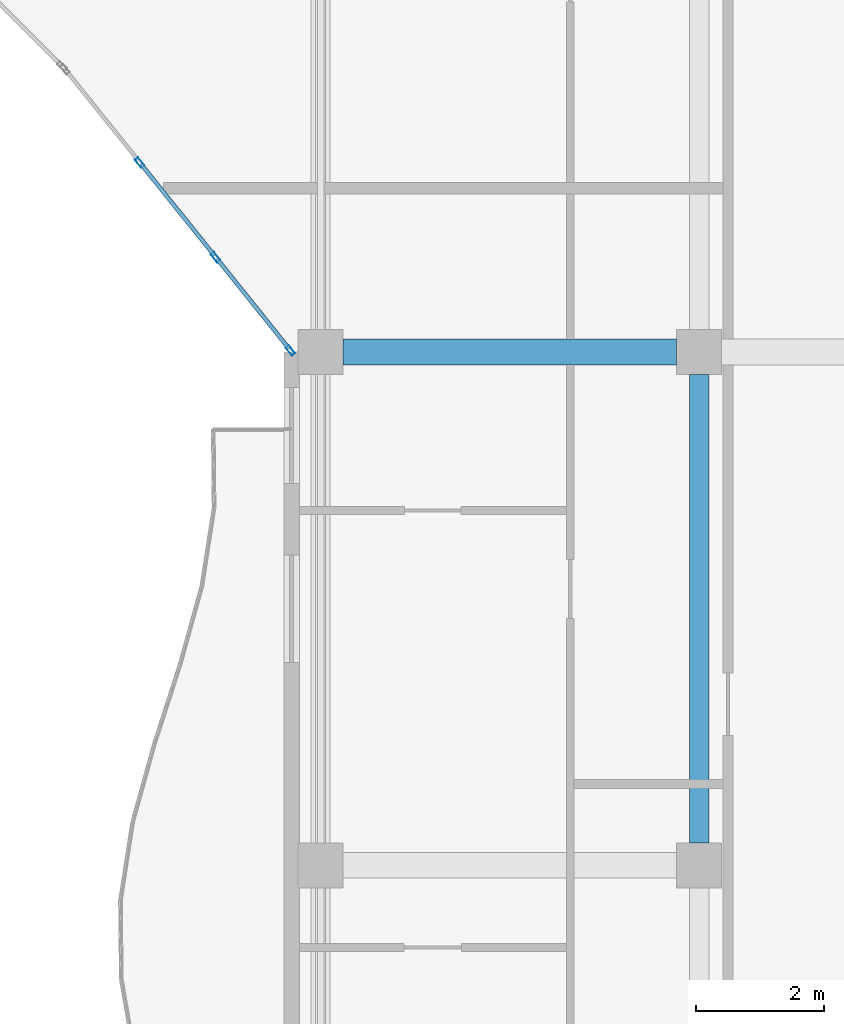
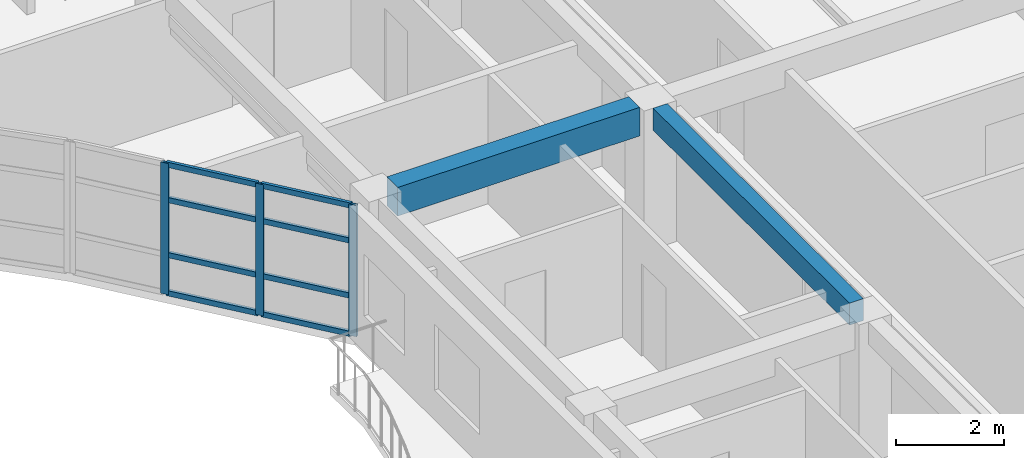
# One storey, part 34 of 89: 11 members, 2 beams, 1 element without a shape of its own.
"""IFC4 building model written with IfcOpenShell, lengths in metres."""

from ifc_helpers import new_model, si_unit, direction, frame, origin, origin_2d, place, context, subcontext, project, spatial, rectangle, hollow_rectangle, extrude, material, layer, layer_set, material_profile, profile_set, type_object, element, aggregate, save


model = new_model("IFC4")

# Units and contexts
model_context = context("Model", 3, precision=1e-05, world=origin(), true_north=direction((0.0, 1.0)))
body_context = subcontext(model_context, "Body", "Model", "MODEL_VIEW")
ifc_project = project(units=[si_unit("LENGTHUNIT", "METRE"), si_unit("AREAUNIT", "SQUARE_METRE"), si_unit("VOLUMEUNIT", "CUBIC_METRE"), si_unit("PLANEANGLEUNIT", "RADIAN"), si_unit("MASSUNIT", "GRAM", prefix="KILO")], contexts=[model_context])

# Site, building, storey
site_placement = place(None, origin())
site = spatial("IfcSite", under=ifc_project, at=site_placement, CompositionType="ELEMENT")
building_placement = place(site_placement, origin())
building = spatial("IfcBuilding", under=site, at=building_placement, Name="Keldmere Railside Commons", CompositionType="ELEMENT")
storey_placement = place(building_placement, frame((0.0, 0.0, 7.360107421875)))
storey = spatial("IfcBuildingStorey", under=building, at=storey_placement, Name="L02", CompositionType="ELEMENT", Elevation=7.360107421875)

# Beams
ifc_material_1 = material(Name="Concrete H-30 (C30/37)", Category="concrete")
ifc_material_profile_1 = material_profile(ifc_material_1, rectangle(XDim=0.39990234375, YDim=0.64990234375, at=origin_2d()), Name="RC-400x650")
ifc_profile_set_1 = profile_set([ifc_material_profile_1], Name="Concrete H-30 (C30/37)")
beam_type_1 = type_object("IfcBeamType", Name="Residential Spine RC Girder 400x650", PredefinedType="BEAM", material=ifc_profile_set_1)
beam_1_placement = place(storey_placement, frame((168.800048828125, 88.0, 2.875), z_axis=(1.0, 0.0, 0.0), x_axis=(0.0, 1.0, 0.0)))
element("IfcBeam", 1, at=beam_1_placement, inside=storey, type_object=beam_type_1, Name="BG-3 BM-L02-1098", PredefinedType="BEAM", context=body_context, shape_type="SweptSolid", body=[
    extrude(rectangle(XDim=0.39990234375, YDim=0.64990234375, at=origin_2d()), origin(), (0.0, 0.0, 1.0), 5.199951171875),
])
ifc_material_profile_2 = material_profile(ifc_material_1, rectangle(XDim=0.300048828125, YDim=0.5, at=origin_2d()), Name="RC-300x500")
ifc_profile_set_2 = profile_set([ifc_material_profile_2], Name="Concrete H-30 (C30/37)")
beam_type_2 = type_object("IfcBeamType", Name="Secondary Frame RC Beam 300x500", PredefinedType="BEAM", material=ifc_profile_set_2)
beam_2_placement = place(storey_placement, frame((174.35009765625, 80.35009765625, 2.949951171875), z_axis=(0.0, 1.0, 0.0), x_axis=(-1.0, 0.0, 0.0)))
element("IfcBeam", 2, at=beam_2_placement, inside=storey, type_object=beam_type_2, Name="BG-5 BM-L02-1257", PredefinedType="BEAM", context=body_context, shape_type="SweptSolid", body=[
    extrude(rectangle(XDim=0.300048828125, YDim=0.5, at=origin_2d()), origin(), (0.0, 0.0, 1.0), 7.2998046875),
])

# Curtain wall, members
ifc_material_2 = material(Name="Thermally Broken Aluminium", Category="aluminium")
ifc_layer = layer(ifc_material_2, 0.159912109375, Name="Court Chord Wintergarden CW 5400x2850")
ifc_layer_set = layer_set([ifc_layer], Name="Thermally Broken Aluminium")
curtain_wall_type = type_object("IfcCurtainWallType", Name="Court Chord Wintergarden CW 5400x2850", PredefinedType="NOTDEFINED", material=ifc_layer_set)
curtain_wall_placement = place(storey_placement, origin())
curtain_wall = element("IfcCurtainWall", 3, at=curtain_wall_placement, inside=storey, type_object=curtain_wall_type, Name="CW-13 CW-L02-165", PredefinedType="NOTDEFINED")
ifc_material_profile_3 = material_profile(ifc_material_2, hollow_rectangle(XDim=0.06494140625, YDim=0.159912109375, WallThickness=0.00390625, at=origin_2d()), Name="ALU-MULL-65x160")
ifc_profile_set_3 = profile_set([ifc_material_profile_3], Name="Thermally Broken Aluminium")
member_type_1 = type_object("IfcMemberType", Name="Unitised Curtain Wall Mullion 65x160", PredefinedType="MULLION", material=ifc_profile_set_3)
member_1_placement = place(storey_placement, frame((167.979736328125, 88.025390625, 0.0), z_axis=(0.0, 0.0, 1.0), x_axis=(-0.780009172323, -0.625768080915, 0.0)))
member_1 = element("IfcMember", 4, at=member_1_placement, type_object=member_type_1, Name="CW-13 mullion 1", PredefinedType="MULLION", context=body_context, shape_type="SweptSolid", body=[
    extrude(hollow_rectangle(XDim=0.06494140625, YDim=0.159912109375, WallThickness=0.00390625, at=origin_2d()), origin(), (0.0, 0.0, 1.0), 2.97998046875),
])
member_2_placement = place(storey_placement, frame((166.8154296875, 89.4765625, 0.0), z_axis=(0.0, 0.0, 1.0), x_axis=(-0.780009172323, -0.625768080915, 0.0)))
member_2 = element("IfcMember", 5, at=member_2_placement, type_object=member_type_1, Name="CW-13 mullion 2", PredefinedType="MULLION", context=body_context, shape_type="SweptSolid", body=[
    extrude(hollow_rectangle(XDim=0.06494140625, YDim=0.159912109375, WallThickness=0.00390625, at=origin_2d()), origin(), (0.0, 0.0, 1.0), 2.97998046875),
])
member_3_placement = place(storey_placement, frame((165.630615234375, 90.953369140625, 0.0), z_axis=(0.0, 0.0, 1.0), x_axis=(-0.780009172323, -0.625768080915, 0.0)))
member_3 = element("IfcMember", 6, at=member_3_placement, type_object=member_type_1, Name="CW-13 mullion 3", PredefinedType="MULLION", context=body_context, shape_type="SweptSolid", body=[
    extrude(hollow_rectangle(XDim=0.06494140625, YDim=0.159912109375, WallThickness=0.00390625, at=origin_2d()), origin(), (0.0, 0.0, 1.0), 2.97998046875),
])
ifc_material_profile_4 = material_profile(ifc_material_2, hollow_rectangle(XDim=0.06494140625, YDim=0.1201171875, WallThickness=0.00390625, at=origin_2d()), Name="ALU-TRAN-65x120")
ifc_profile_set_4 = profile_set([ifc_material_profile_4], Name="Thermally Broken Aluminium")
member_type_2 = type_object("IfcMemberType", Name="Unitised Curtain Wall Transom 65x120", PredefinedType="USERDEFINED", material=ifc_profile_set_4)
member_4_placement = place(storey_placement, frame((167.959228515625, 88.05078125, 0.032470703125), z_axis=(-0.625722553313, 0.780045694992, 0.0), x_axis=(-0.780045694992, -0.625722553313, 0.0)))
member_4 = element("IfcMember", 7, at=member_4_placement, type_object=member_type_2, Name="CW-13 transom 1.1", ObjectType="TRANSOM", PredefinedType="USERDEFINED", context=body_context, shape_type="SweptSolid", body=[
    extrude(hollow_rectangle(XDim=0.06494140625, YDim=0.1201171875, WallThickness=0.00390625, at=origin_2d()), origin(), (0.0, 0.0, 1.0), 1.795654296875),
])
member_5_placement = place(storey_placement, frame((167.959228515625, 88.05078125, 0.89990234375), z_axis=(-0.625722553313, 0.780045694992, 0.0), x_axis=(-0.780045694992, -0.625722553313, 0.0)))
member_5 = element("IfcMember", 8, at=member_5_placement, type_object=member_type_2, Name="CW-13 transom 1.2", ObjectType="TRANSOM", PredefinedType="USERDEFINED", context=body_context, shape_type="SweptSolid", body=[
    extrude(hollow_rectangle(XDim=0.06494140625, YDim=0.1201171875, WallThickness=0.00390625, at=origin_2d()), origin(), (0.0, 0.0, 1.0), 1.795654296875),
])
member_6_placement = place(storey_placement, frame((167.959228515625, 88.05078125, 2.14990234375), z_axis=(-0.625722553313, 0.780045694992, 0.0), x_axis=(-0.780045694992, -0.625722553313, 0.0)))
member_6 = element("IfcMember", 9, at=member_6_placement, type_object=member_type_2, Name="CW-13 transom 1.3", ObjectType="TRANSOM", PredefinedType="USERDEFINED", context=body_context, shape_type="SweptSolid", body=[
    extrude(hollow_rectangle(XDim=0.06494140625, YDim=0.1201171875, WallThickness=0.00390625, at=origin_2d()), origin(), (0.0, 0.0, 1.0), 1.795654296875),
])
member_7_placement = place(storey_placement, frame((167.959228515625, 88.05078125, 2.947509765625), z_axis=(-0.625722553313, 0.780045694992, 0.0), x_axis=(-0.780045694992, -0.625722553313, 0.0)))
member_7 = element("IfcMember", 10, at=member_7_placement, type_object=member_type_2, Name="CW-13 transom 1.4", ObjectType="TRANSOM", PredefinedType="USERDEFINED", context=body_context, shape_type="SweptSolid", body=[
    extrude(hollow_rectangle(XDim=0.06494140625, YDim=0.1201171875, WallThickness=0.00390625, at=origin_2d()), origin(), (0.0, 0.0, 1.0), 1.795654296875),
])
member_8_placement = place(storey_placement, frame((166.794921875, 89.501953125, 0.032470703125), z_axis=(-0.625688033635, 0.78007338409, 0.0), x_axis=(-0.78007338409, -0.625688033635, 0.0)))
member_8 = element("IfcMember", 11, at=member_8_placement, type_object=member_type_2, Name="CW-13 transom 2.1", ObjectType="TRANSOM", PredefinedType="USERDEFINED", context=body_context, shape_type="SweptSolid", body=[
    extrude(hollow_rectangle(XDim=0.06494140625, YDim=0.1201171875, WallThickness=0.00390625, at=origin_2d()), origin(), (0.0, 0.0, 1.0), 1.828125),
])
member_9_placement = place(storey_placement, frame((166.794921875, 89.501953125, 0.89990234375), z_axis=(-0.625688033635, 0.78007338409, 0.0), x_axis=(-0.78007338409, -0.625688033635, 0.0)))
member_9 = element("IfcMember", 12, at=member_9_placement, type_object=member_type_2, Name="CW-13 transom 2.2", ObjectType="TRANSOM", PredefinedType="USERDEFINED", context=body_context, shape_type="SweptSolid", body=[
    extrude(hollow_rectangle(XDim=0.06494140625, YDim=0.1201171875, WallThickness=0.00390625, at=origin_2d()), origin(), (0.0, 0.0, 1.0), 1.828125),
])
member_10_placement = place(storey_placement, frame((166.794921875, 89.501953125, 2.14990234375), z_axis=(-0.625688033635, 0.78007338409, 0.0), x_axis=(-0.78007338409, -0.625688033635, 0.0)))
member_10 = element("IfcMember", 13, at=member_10_placement, type_object=member_type_2, Name="CW-13 transom 2.3", ObjectType="TRANSOM", PredefinedType="USERDEFINED", context=body_context, shape_type="SweptSolid", body=[
    extrude(hollow_rectangle(XDim=0.06494140625, YDim=0.1201171875, WallThickness=0.00390625, at=origin_2d()), origin(), (0.0, 0.0, 1.0), 1.828125),
])
member_11_placement = place(storey_placement, frame((166.794921875, 89.501953125, 2.947509765625), z_axis=(-0.625688033635, 0.78007338409, 0.0), x_axis=(-0.78007338409, -0.625688033635, 0.0)))
member_11 = element("IfcMember", 14, at=member_11_placement, type_object=member_type_2, Name="CW-13 transom 2.4", ObjectType="TRANSOM", PredefinedType="USERDEFINED", context=body_context, shape_type="SweptSolid", body=[
    extrude(hollow_rectangle(XDim=0.06494140625, YDim=0.1201171875, WallThickness=0.00390625, at=origin_2d()), origin(), (0.0, 0.0, 1.0), 1.828125),
])
aggregate(curtain_wall, [member_1, member_2, member_3, member_4, member_5, member_6, member_7, member_8, member_9, member_10, member_11])

save(model, "model.ifc")
